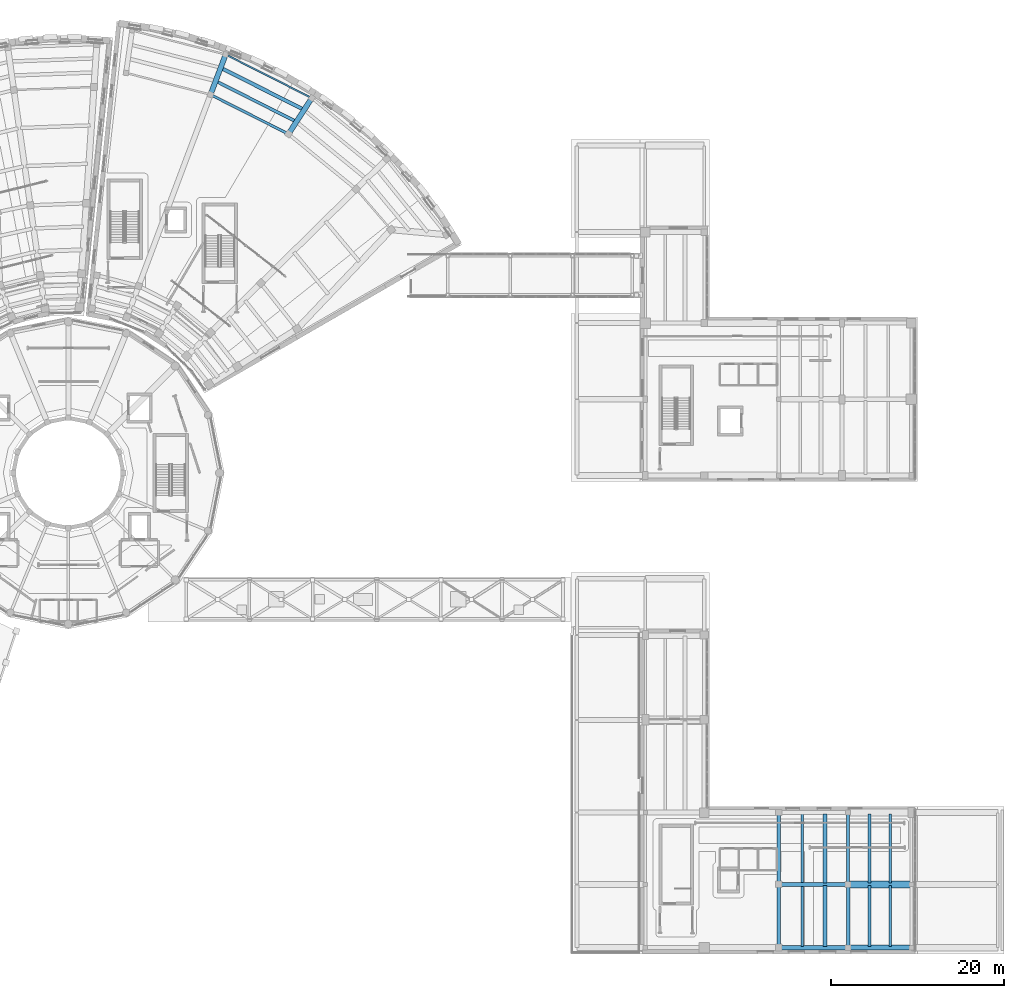
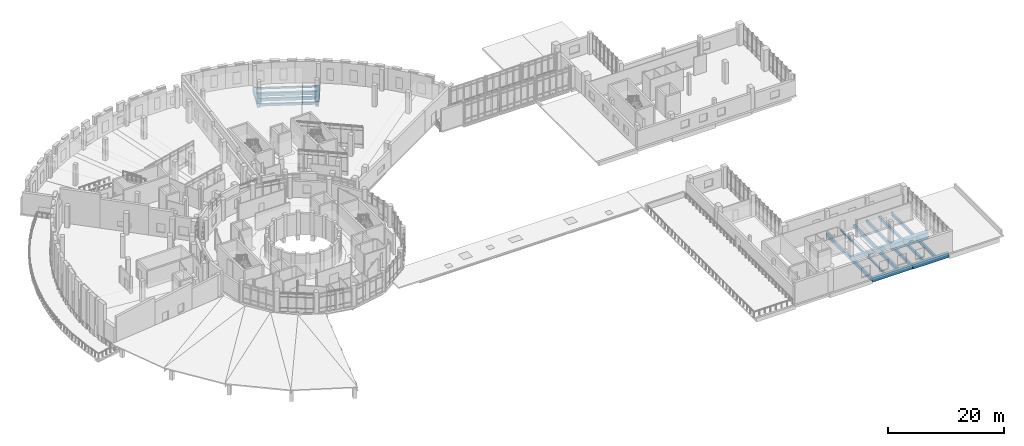
# One storey, part 31 of 75: 22 beams.
"""IFC4 building model written with IfcOpenShell, lengths in metres."""

from ifc_helpers import new_model, si_unit, direction, frame, origin, origin_2d, place, context, subcontext, project, spatial, rectangle, i_section, extrude, material, material_profile, profile_set, type_object, element, save


model = new_model("IFC4")

# Units and contexts
model_context = context("Model", 3, precision=1e-05, world=origin(), true_north=direction((0.0, 1.0)))
body_context = subcontext(model_context, "Body", "Model", "MODEL_VIEW")
ifc_project = project(units=[si_unit("LENGTHUNIT", "METRE"), si_unit("AREAUNIT", "SQUARE_METRE"), si_unit("VOLUMEUNIT", "CUBIC_METRE"), si_unit("PLANEANGLEUNIT", "RADIAN"), si_unit("MASSUNIT", "GRAM", prefix="KILO")], contexts=[model_context])

# Site, building, storey
site_placement = place(None, origin())
site = spatial("IfcSite", under=ifc_project, at=site_placement, CompositionType="ELEMENT")
building_placement = place(site_placement, origin())
building = spatial("IfcBuilding", under=site, at=building_placement, Name="Soyqirgoq Riverine Aquarium", CompositionType="ELEMENT")
storey_placement = place(building_placement, frame((0.0, 0.0, 10.199951171875)))
storey = spatial("IfcBuildingStorey", under=building, at=storey_placement, Name="L03", CompositionType="ELEMENT", Elevation=10.199951171875)

# Beams
ifc_material_1 = material(Name="Concrete C40/50", Category="concrete")
ifc_material_profile_1 = material_profile(ifc_material_1, rectangle(XDim=0.35009765625, YDim=0.60009765625, at=origin_2d()), Name="RC 350x600")
ifc_profile_set_1 = profile_set([ifc_material_profile_1], Name="Concrete C40/50")
beam_type_1 = type_object("IfcBeamType", Name="Beam_RC_350x600", PredefinedType="JOIST", material=ifc_profile_set_1)
beam_1_placement = place(storey_placement, frame((82.19921875, 97.5986328125, -0.599853515625), z_axis=(-0.892588619562, 0.450871995392, 0.0), x_axis=(-0.450871995392, -0.892588619562, 0.0)))
element("IfcBeam", 1, at=beam_1_placement, inside=storey, type_object=beam_type_1, Name="V5 L03 Secondary Floor Joist 0894", PredefinedType="JOIST", context=body_context, shape_type="SweptSolid", body=[
    extrude(rectangle(XDim=0.35009765625, YDim=0.60009765625, at=origin_2d()), origin(), (0.0, 0.0, 1.0), 10.159912109375),
])
beam_2_placement = place(storey_placement, frame((146.0, 9.550048828125, -0.579833984375), z_axis=(0.0, 1.0, 0.0), x_axis=(-1.0, 0.0, 0.0)))
element("IfcBeam", 2, at=beam_2_placement, inside=storey, type_object=beam_type_1, Name="V6 L03 North-South Frame Beam 1187", PredefinedType="JOIST", context=body_context, shape_type="SweptSolid", body=[
    extrude(rectangle(XDim=0.35009765625, YDim=0.60009765625, at=origin_2d()), origin(), (0.0, 0.0, 1.0), 8.199951171875),
])
beam_3_placement = place(storey_placement, frame((148.48193359375, 2.340087890625, -0.579833984375), z_axis=(0.0, 1.0, 0.0), x_axis=(-1.0, 0.0, 0.0)))
element("IfcBeam", 3, at=beam_3_placement, inside=storey, type_object=beam_type_1, Name="V6 L03 Secondary Bay Joist 1199", PredefinedType="JOIST", context=body_context, shape_type="SweptSolid", body=[
    extrude(rectangle(XDim=0.35009765625, YDim=0.60009765625, at=origin_2d()), origin(), (0.0, 0.0, 1.0), 7.02001953125),
])
beam_4_placement = place(storey_placement, frame((148.48193359375, 9.639892578125, -0.579833984375), z_axis=(0.0, 1.0, 0.0), x_axis=(-1.0, 0.0, 0.0)))
element("IfcBeam", 4, at=beam_4_placement, inside=storey, type_object=beam_type_1, Name="V6 L03 Secondary Bay Joist 1203", PredefinedType="JOIST", context=body_context, shape_type="SweptSolid", body=[
    extrude(rectangle(XDim=0.35009765625, YDim=0.60009765625, at=origin_2d()), origin(), (0.0, 0.0, 1.0), 8.02001953125),
])
ifc_material_2 = material(Name="Concrete C40/50", Category="concrete")
ifc_material_profile_2 = material_profile(ifc_material_2, rectangle(XDim=0.39990234375, YDim=0.60009765625, at=origin_2d()), Name="RC 400x600")
ifc_profile_set_2 = profile_set([ifc_material_profile_2], Name="Concrete C40/50")
beam_type_2 = type_object("IfcBeamType", Name="Beam_RC_400x600", PredefinedType="JOIST", material=ifc_profile_set_2)
beam_5_placement = place(storey_placement, frame((146.0, 2.25, -0.579833984375), z_axis=(0.0, 1.0, 0.0), x_axis=(-1.0, 0.0, 0.0)))
element("IfcBeam", 5, at=beam_5_placement, inside=storey, type_object=beam_type_2, Name="V6 L03 North-South Frame Beam 1185", PredefinedType="JOIST", context=body_context, shape_type="SweptSolid", body=[
    extrude(rectangle(XDim=0.39990234375, YDim=0.60009765625, at=origin_2d()), origin(), (0.0, 0.0, 1.0), 7.199951171875),
])
ifc_material_3 = material(Name="Concrete C40/50", Category="concrete")
ifc_material_profile_3 = material_profile(ifc_material_3, rectangle(XDim=0.39990234375, YDim=0.699951171875, at=origin_2d()), Name="RC 400x700")
ifc_profile_set_3 = profile_set([ifc_material_profile_3], Name="Concrete C40/50")
beam_type_3 = type_object("IfcBeamType", Name="Beam_RC_400x700", PredefinedType="BEAM", material=ifc_profile_set_3)
beam_6_placement = place(storey_placement, frame((138.0, 9.550048828125, -0.6298828125), z_axis=(0.0, 1.0, 0.0), x_axis=(-1.0, 0.0, 0.0)))
element("IfcBeam", 6, at=beam_6_placement, inside=storey, type_object=beam_type_3, Name="V6 L03 North-South Frame Beam 1182", PredefinedType="BEAM", context=body_context, shape_type="SweptSolid", body=[
    extrude(rectangle(XDim=0.39990234375, YDim=0.699951171875, at=origin_2d()), origin(), (0.0, 0.0, 1.0), 8.199951171875),
])
ifc_material_4 = material(Name="Concrete C40/50", Category="concrete")
ifc_material_profile_4 = material_profile(ifc_material_4, rectangle(XDim=0.419921875, YDim=0.679931640625, at=origin_2d()), Name="RC 420x680")
ifc_profile_set_4 = profile_set([ifc_material_profile_4], Name="Concrete C40/50")
beam_type_4 = type_object("IfcBeamType", Name="Beam_RC_420x680", PredefinedType="BEAM", material=ifc_profile_set_4)
beam_7_placement = place(storey_placement, frame((83.0888671875, 98.968505859375, -0.639892578125), z_axis=(-0.892589750017, 0.45086975743, 0.0), x_axis=(-0.45086975743, -0.892589750017, 0.0)))
element("IfcBeam", 7, at=beam_7_placement, inside=storey, type_object=beam_type_4, Name="V5 L03 Secondary Floor Joist 0895", PredefinedType="BEAM", context=body_context, shape_type="SweptSolid", body=[
    extrude(rectangle(XDim=0.419921875, YDim=0.679931640625, at=origin_2d()), origin(), (0.0, 0.0, 1.0), 10.512939453125),
])
ifc_material_5 = material(Name="Concrete C40/50", Category="concrete")
ifc_material_profile_5 = material_profile(ifc_material_5, rectangle(XDim=0.449951171875, YDim=0.64990234375, at=origin_2d()), Name="RC 450x650")
ifc_profile_set_5 = profile_set([ifc_material_profile_5], Name="Concrete C40/50")
beam_type_5 = type_object("IfcBeamType", Name="Beam_RC_450x650", PredefinedType="BEAM", material=ifc_profile_set_5)
beam_8_placement = place(storey_placement, frame((138.0, 2.25, -0.60498046875), z_axis=(0.0, 1.0, 0.0), x_axis=(-1.0, 0.0, 0.0)))
element("IfcBeam", 8, at=beam_8_placement, inside=storey, type_object=beam_type_5, Name="V6 L03 North-South Frame Beam 1180", PredefinedType="BEAM", context=body_context, shape_type="SweptSolid", body=[
    extrude(rectangle(XDim=0.449951171875, YDim=0.64990234375, at=origin_2d()), origin(), (0.0, 0.0, 1.0), 7.199951171875),
])
beam_9_placement = place(storey_placement, frame((143.360107421875, 2.340087890625, -0.60498046875), z_axis=(0.0, 1.0, 0.0), x_axis=(-1.0, 0.0, 0.0)))
element("IfcBeam", 9, at=beam_9_placement, inside=storey, type_object=beam_type_5, Name="V6 L03 Secondary Bay Joist 1198", PredefinedType="BEAM", context=body_context, shape_type="SweptSolid", body=[
    extrude(rectangle(XDim=0.449951171875, YDim=0.64990234375, at=origin_2d()), origin(), (0.0, 0.0, 1.0), 7.02001953125),
])
beam_10_placement = place(storey_placement, frame((143.360107421875, 9.639892578125, -0.60498046875), z_axis=(0.0, 1.0, 0.0), x_axis=(-1.0, 0.0, 0.0)))
element("IfcBeam", 10, at=beam_10_placement, inside=storey, type_object=beam_type_5, Name="V6 L03 Secondary Bay Joist 1202", PredefinedType="BEAM", context=body_context, shape_type="SweptSolid", body=[
    extrude(rectangle(XDim=0.449951171875, YDim=0.64990234375, at=origin_2d()), origin(), (0.0, 0.0, 1.0), 8.02001953125),
])
ifc_material_6 = material(Name="Concrete C40/50", Category="concrete")
ifc_material_profile_6 = material_profile(ifc_material_6, rectangle(XDim=0.5, YDim=0.85009765625, at=origin_2d()), Name="RC 500x850")
ifc_profile_set_6 = profile_set([ifc_material_profile_6], Name="Concrete C40/50")
beam_type_6 = type_object("IfcBeamType", Name="Girder_RC_500x850", PredefinedType="BEAM", material=ifc_profile_set_6)
beam_11_placement = place(storey_placement, frame((138.02001953125, 9.5, -0.704833984375), z_axis=(1.0, 0.0, 0.0), x_axis=(0.0, 1.0, 0.0)))
element("IfcBeam", 11, at=beam_11_placement, inside=storey, type_object=beam_type_6, Name="V6 L03 East-West Frame Girder 1183", PredefinedType="BEAM", context=body_context, shape_type="SweptSolid", body=[
    extrude(rectangle(XDim=0.5, YDim=0.85009765625, at=origin_2d()), origin(), (0.0, 0.0, 1.0), 7.9599609375),
])
ifc_material_7 = material(Name="Concrete C40/50", Category="concrete")
ifc_material_profile_7 = material_profile(ifc_material_7, rectangle(XDim=0.550048828125, YDim=0.85009765625, at=origin_2d()), Name="RC 550x850")
ifc_profile_set_7 = profile_set([ifc_material_profile_7], Name="Concrete C40/50")
beam_type_7 = type_object("IfcBeamType", Name="Girder_RC_550x850", PredefinedType="BEAM", material=ifc_profile_set_7)
beam_12_placement = place(storey_placement, frame((138.02001953125, 2.199951171875, -0.704833984375), z_axis=(1.0, 0.0, 0.0), x_axis=(0.0, 1.0, 0.0)))
element("IfcBeam", 12, at=beam_12_placement, inside=storey, type_object=beam_type_7, Name="V6 L03 East-West Frame Girder 1181", PredefinedType="BEAM", context=body_context, shape_type="SweptSolid", body=[
    extrude(rectangle(XDim=0.550048828125, YDim=0.85009765625, at=origin_2d()), origin(), (0.0, 0.0, 1.0), 7.9599609375),
])
ifc_material_8 = material(Name="Concrete C40/50", Category="concrete")
ifc_material_profile_8 = material_profile(ifc_material_8, rectangle(XDim=0.580078125, YDim=0.919921875, at=origin_2d()), Name="RC 580x920")
ifc_profile_set_8 = profile_set([ifc_material_profile_8], Name="Concrete C40/50")
beam_type_8 = type_object("IfcBeamType", Name="Girder_RC_580x920", PredefinedType="BEAM", material=ifc_profile_set_8)
beam_13_placement = place(storey_placement, frame((146.02001953125, 2.199951171875, -0.739990234375), z_axis=(1.0, 0.0, 0.0), x_axis=(0.0, 1.0, 0.0)))
element("IfcBeam", 13, at=beam_13_placement, inside=storey, type_object=beam_type_8, Name="V6 L03 East-West Frame Girder 1186", PredefinedType="BEAM", context=body_context, shape_type="SweptSolid", body=[
    extrude(rectangle(XDim=0.580078125, YDim=0.919921875, at=origin_2d()), origin(), (0.0, 0.0, 1.0), 7.260009765625),
])
ifc_material_9 = material(Name="Concrete C40/50", Category="concrete")
ifc_material_profile_9 = material_profile(ifc_material_9, rectangle(XDim=0.60009765625, YDim=1.0, at=origin_2d()), Name="RC 600x1000")
ifc_profile_set_9 = profile_set([ifc_material_profile_9], Name="Concrete C40/50")
beam_type_9 = type_object("IfcBeamType", Name="Girder_RC_600x1000", PredefinedType="BEAM", material=ifc_profile_set_9)
beam_14_placement = place(storey_placement, frame((81.4345703125, 96.166015625, -0.800048828125), z_axis=(0.544669820921, 0.838650574541, 0.0), x_axis=(-0.838650574541, 0.544669820921, 0.0)))
element("IfcBeam", 14, at=beam_14_placement, inside=storey, type_object=beam_type_9, Name="V5 L03 Wedge Radial Girder 0859", PredefinedType="BEAM", context=body_context, shape_type="SweptSolid", body=[
    extrude(rectangle(XDim=0.60009765625, YDim=1.0, at=origin_2d()), origin(), (0.0, 0.0, 1.0), 4.849853515625),
])
ifc_material_10 = material(Name="Concrete C40/50", Category="concrete")
ifc_material_profile_10 = material_profile(ifc_material_10, rectangle(XDim=0.60009765625, YDim=0.89990234375, at=origin_2d()), Name="RC 600x900")
ifc_profile_set_10 = profile_set([ifc_material_profile_10], Name="Concrete C40/50")
beam_type_10 = type_object("IfcBeamType", Name="Girder_RC_600x900", PredefinedType="BEAM", material=ifc_profile_set_10)
beam_15_placement = place(storey_placement, frame((72.430908203125, 100.714111328125, -0.75), z_axis=(0.35186806863, 0.936049604604, 0.0), x_axis=(-0.936049604604, 0.35186806863, 0.0)))
element("IfcBeam", 15, at=beam_15_placement, inside=storey, type_object=beam_type_10, Name="V5 L03 Wedge Radial Girder 0862", PredefinedType="BEAM", context=body_context, shape_type="SweptSolid", body=[
    extrude(rectangle(XDim=0.60009765625, YDim=0.89990234375, at=origin_2d()), origin(), (0.0, 0.0, 1.0), 4.849853515625),
])
ifc_material_11 = material(Name="Concrete C40/50", Category="concrete")
ifc_material_profile_11 = material_profile(ifc_material_11, rectangle(XDim=0.85009765625, YDim=1.300048828125, at=origin_2d()), Name="RC 850x1300")
ifc_profile_set_11 = profile_set([ifc_material_profile_11], Name="Concrete C40/50")
beam_type_11 = type_object("IfcBeamType", Name="Girder_RC_850x1300", PredefinedType="BEAM", material=ifc_profile_set_11)
beam_16_placement = place(storey_placement, frame((146.02001953125, 9.5, -0.929931640625), z_axis=(1.0, 0.0, 0.0), x_axis=(0.0, 1.0, 0.0)))
element("IfcBeam", 16, at=beam_16_placement, inside=storey, type_object=beam_type_11, Name="V6 L03 East-West Frame Girder 1188", PredefinedType="BEAM", context=body_context, shape_type="SweptSolid", body=[
    extrude(rectangle(XDim=0.85009765625, YDim=1.300048828125, at=origin_2d()), origin(), (0.0, 0.0, 1.0), 7.260009765625),
])
ifc_material_12 = material(Name="Concrete C40/50", Category="concrete")
ifc_material_profile_12 = material_profile(ifc_material_12, rectangle(XDim=0.300048828125, YDim=0.5, at=origin_2d()), Name="RC 300x500")
ifc_profile_set_12 = profile_set([ifc_material_profile_12], Name="Concrete C40/50")
beam_type_12 = type_object("IfcBeamType", Name="Spandrel_RC_300x500", PredefinedType="SPANDREL", material=ifc_profile_set_12)
beam_17_placement = place(storey_placement, frame((81.36279296875, 96.146484375, -0.550048828125), z_axis=(-0.892579349445, 0.450890346919, 0.0), x_axis=(-0.450890346919, -0.892579349445, 0.0)))
element("IfcBeam", 17, at=beam_17_placement, inside=storey, type_object=beam_type_12, Name="V5 L03 Wedge Chord Beam 0888", PredefinedType="SPANDREL", context=body_context, shape_type="SweptSolid", body=[
    extrude(rectangle(XDim=0.300048828125, YDim=0.5, at=origin_2d()), origin(), (0.0, 0.0, 1.0), 9.9765625),
])
ifc_material_13 = material(Name="Structural steel S355", Category="steel")
ifc_material_profile_13 = material_profile(ifc_material_13, i_section(OverallWidth=0.179931640625, OverallDepth=0.39990234375, WebThickness=0.008544921875, FlangeThickness=0.013427734375, FilletRadius=0.02099609375, at=origin_2d()), Name="IPE 400")
ifc_profile_set_13 = profile_set([ifc_material_profile_13], Name="Structural steel S355")
beam_type_13 = type_object("IfcBeamType", Name="Spandrel_Steel_IPE400", PredefinedType="SPANDREL", material=ifc_profile_set_13)
beam_18_placement = place(storey_placement, frame((84.058837890625, 100.2978515625, -0.5), z_axis=(-0.892576221627, 0.450896538672, 0.0), x_axis=(-0.450896538672, -0.892576221627, 0.0)))
element("IfcBeam", 18, at=beam_18_placement, inside=storey, type_object=beam_type_13, Name="V5 L03 Wedge Chord Beam 0900", PredefinedType="SPANDREL", context=body_context, shape_type="SweptSolid", body=[
    extrude(i_section(OverallWidth=0.179931640625, OverallDepth=0.39990234375, WebThickness=0.008544921875, FlangeThickness=0.013427734375, FilletRadius=0.02099609375, at=origin_2d()), origin(), (0.0, 0.0, 1.0), 11.045654296875),
])
ifc_material_14 = material(Name="Structural steel S355", Category="steel")
ifc_material_profile_14 = material_profile(ifc_material_14, i_section(OverallWidth=0.300048828125, OverallDepth=0.389892578125, WebThickness=0.010986328125, FlangeThickness=0.01904296875, FilletRadius=0.027099609375, at=origin_2d()), Name="HEA 400")
ifc_profile_set_14 = profile_set([ifc_material_profile_14], Name="Structural steel S355")
beam_type_14 = type_object("IfcBeamType", Name="SteelBeam_HEA400", PredefinedType="BEAM", material=ifc_profile_set_14)
beam_19_placement = place(storey_placement, frame((140.719970703125, 2.340087890625, -0.474853515625), z_axis=(0.0, 1.0, 0.0), x_axis=(-1.0, 0.0, 0.0)))
element("IfcBeam", 19, at=beam_19_placement, inside=storey, type_object=beam_type_14, Name="V6 L03 Secondary Bay Joist 1197", PredefinedType="BEAM", context=body_context, shape_type="SweptSolid", body=[
    extrude(i_section(OverallWidth=0.300048828125, OverallDepth=0.389892578125, WebThickness=0.010986328125, FlangeThickness=0.01904296875, FilletRadius=0.027099609375, at=origin_2d()), origin(), (0.0, 0.0, 1.0), 7.02001953125),
])
beam_20_placement = place(storey_placement, frame((140.719970703125, 9.639892578125, -0.474853515625), z_axis=(0.0, 1.0, 0.0), x_axis=(-1.0, 0.0, 0.0)))
element("IfcBeam", 20, at=beam_20_placement, inside=storey, type_object=beam_type_14, Name="V6 L03 Secondary Bay Joist 1201", PredefinedType="BEAM", context=body_context, shape_type="SweptSolid", body=[
    extrude(i_section(OverallWidth=0.300048828125, OverallDepth=0.389892578125, WebThickness=0.010986328125, FlangeThickness=0.01904296875, FilletRadius=0.027099609375, at=origin_2d()), origin(), (0.0, 0.0, 1.0), 8.02001953125),
])
ifc_material_15 = material(Name="Structural steel S355", Category="steel")
ifc_material_profile_15 = material_profile(ifc_material_15, i_section(OverallWidth=0.300048828125, OverallDepth=0.68994140625, WebThickness=0.014404296875, FlangeThickness=0.027099609375, FilletRadius=0.027099609375, at=origin_2d()), Name="HEA 700")
ifc_profile_set_15 = profile_set([ifc_material_profile_15], Name="Structural steel S355")
beam_type_15 = type_object("IfcBeamType", Name="SteelBeam_HEA700", PredefinedType="BEAM", material=ifc_profile_set_15)
beam_21_placement = place(storey_placement, frame((150.89111328125, 2.340087890625, -0.625), z_axis=(0.0, 1.0, 0.0), x_axis=(-1.0, 0.0, 0.0)))
element("IfcBeam", 21, at=beam_21_placement, inside=storey, type_object=beam_type_15, Name="V6 L03 Secondary Bay Joist 1200", PredefinedType="BEAM", context=body_context, shape_type="SweptSolid", body=[
    extrude(i_section(OverallWidth=0.300048828125, OverallDepth=0.68994140625, WebThickness=0.014404296875, FlangeThickness=0.027099609375, FilletRadius=0.027099609375, at=origin_2d()), origin(), (0.0, 0.0, 1.0), 7.02001953125),
])
beam_22_placement = place(storey_placement, frame((150.89111328125, 9.639892578125, -0.625), z_axis=(0.0, 1.0, 0.0), x_axis=(-1.0, 0.0, 0.0)))
element("IfcBeam", 22, at=beam_22_placement, inside=storey, type_object=beam_type_15, Name="V6 L03 Secondary Bay Joist 1204", PredefinedType="BEAM", context=body_context, shape_type="SweptSolid", body=[
    extrude(i_section(OverallWidth=0.300048828125, OverallDepth=0.68994140625, WebThickness=0.014404296875, FlangeThickness=0.027099609375, FilletRadius=0.027099609375, at=origin_2d()), origin(), (0.0, 0.0, 1.0), 8.02001953125),
])

save(model, "model.ifc")
